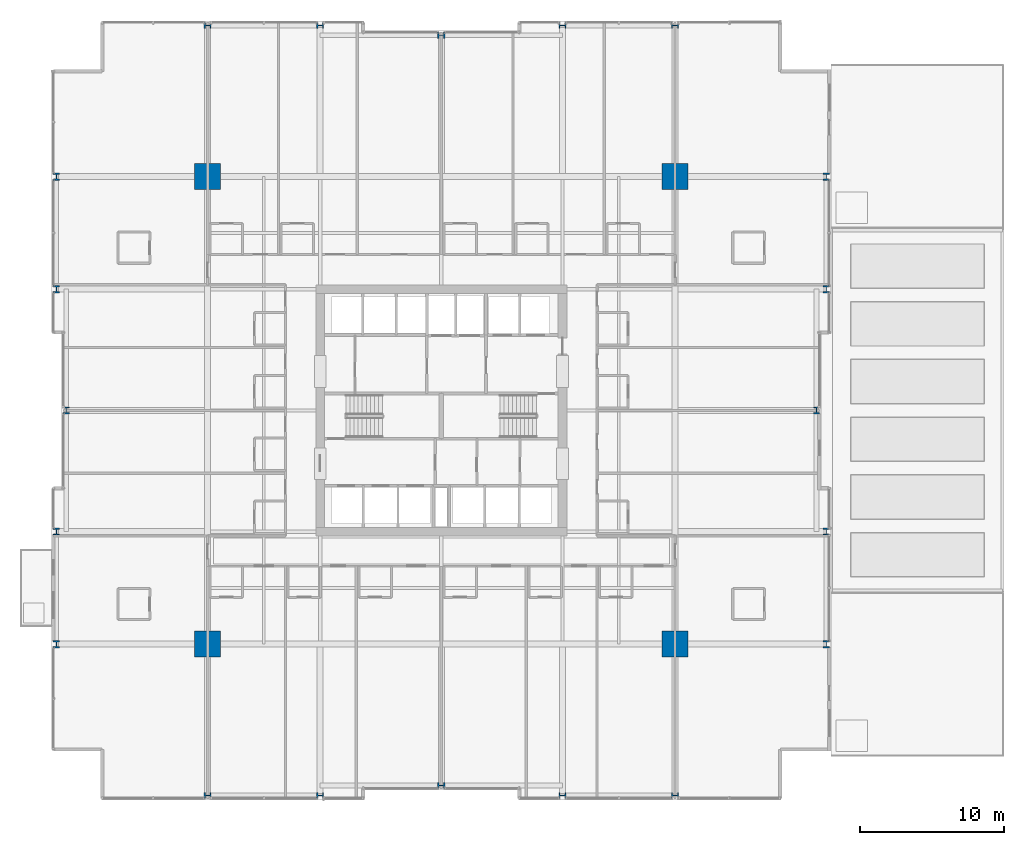
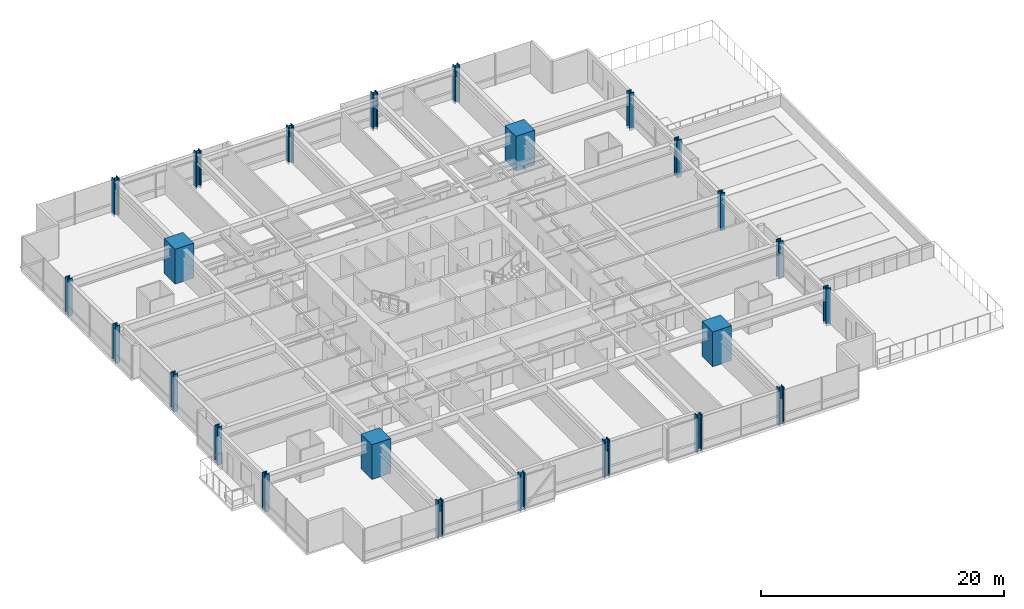
# One storey, part 1 of 42: 24 columns.
"""IFC4 building model written with IfcOpenShell, lengths in metres."""

from ifc_helpers import new_model, si_unit, direction, frame, origin, origin_2d, place, context, subcontext, project, spatial, rectangle, i_section, extrude, material, material_profile, profile_set, type_object, element, save


model = new_model("IFC4")

# Units and contexts
model_context = context("Model", 3, precision=1e-05, world=origin(), true_north=direction((0.0, 1.0)))
body_context = subcontext(model_context, "Body", "Model", "MODEL_VIEW")
ifc_project = project(units=[si_unit("LENGTHUNIT", "METRE"), si_unit("AREAUNIT", "SQUARE_METRE"), si_unit("VOLUMEUNIT", "CUBIC_METRE"), si_unit("PLANEANGLEUNIT", "RADIAN"), si_unit("MASSUNIT", "GRAM", prefix="KILO")], contexts=[model_context])

# Site, building, storey
site_placement = place(None, origin())
site = spatial("IfcSite", under=ifc_project, at=site_placement, CompositionType="ELEMENT")
building_placement = place(site_placement, origin())
building = spatial("IfcBuilding", under=site, at=building_placement, Name="Drelvath Grand Hotel", CompositionType="ELEMENT")
storey_placement = place(building_placement, frame((0.0, 0.0, 33.199951171875)))
storey = spatial("IfcBuildingStorey", under=building, at=storey_placement, Name="L06", CompositionType="ELEMENT", Elevation=33.199951171875)

# Columns
ifc_material_1 = material(Name="Concrete f'c 70 MPa", Category="concrete")
ifc_material_profile_1 = material_profile(ifc_material_1, rectangle(XDim=1.800048828125, YDim=1.800048828125, at=origin_2d()), Name="MC1800X1800")
ifc_profile_set_1 = profile_set([ifc_material_profile_1], Name="Concrete f'c 70 MPa")
column_type_1 = type_object("IfcColumnType", Name="Composite Mega Column MC1800X1800", PredefinedType="COLUMN", material=ifc_profile_set_1)
for number, where, z_axis, x_axis, name in (
    (1, (-16.199951171875, 10.800048828125, 0.0), (0.0, 0.0, 1.0), (1.0, 0.0, 0.0), "L06 Composite Mega Column MC-SW"),
    (2, (16.199951171875, 10.800048828125, 0.0), (0.0, 0.0, 1.0), (1.0, 0.0, 0.0), "L06 Composite Mega Column MC-SE"),
    (3, (-16.199951171875, 43.199951171875, 0.0), (0.0, 0.0, 1.0), (1.0, 0.0, 0.0), "L06 Composite Mega Column MC-NW"),
    (4, (16.199951171875, 43.199951171875, 0.0), (0.0, 0.0, 1.0), (1.0, 0.0, 0.0), "L06 Composite Mega Column MC-NE"),
):
    element("IfcColumn", number, at=place(storey_placement, frame(where, z_axis=z_axis, x_axis=x_axis)), inside=storey, type_object=column_type_1, Name=name, PredefinedType="COLUMN", context=body_context, shape_type="SweptSolid", body=[
        extrude(rectangle(XDim=1.800048828125, YDim=1.800048828125, at=origin_2d()), origin(), (0.0, 0.0, 1.0), 3.5),
    ])
ifc_material_2 = material(Name="Steel ASTM A913 Gr 65", Category="steel")
ifc_material_profile_2 = material_profile(ifc_material_2, i_section(OverallWidth=0.43212890625, OverallDepth=0.497802734375, WebThickness=0.0556640625, FlangeThickness=0.0888671875, FilletRadius=0.030029296875, at=origin_2d()), Name="W14X500")
ifc_profile_set_2 = profile_set([ifc_material_profile_2], Name="Steel ASTM A913 Gr 65")
column_type_2 = type_object("IfcColumnType", Name="Perimeter Steel Column W14X500", PredefinedType="COLUMN", material=ifc_profile_set_2)
for number, where, z_axis, x_axis, name in (
    (5, (-26.679931640625, 10.800048828125, -0.260009765625), (0.0, 0.0, 1.0), (1.0, 0.0, 0.0), "L06 Structural Column TCW-C"),
    (6, (26.679931640625, 10.800048828125, -0.260009765625), (0.0, 0.0, 1.0), (1.0, 0.0, 0.0), "L06 Structural Column TCE-C"),
    (7, (-26.679931640625, 18.60009765625, -0.260009765625), (0.0, 0.0, 1.0), (1.0, 0.0, 0.0), "L06 Structural Column TCW-D"),
    (8, (26.679931640625, 18.60009765625, -0.260009765625), (0.0, 0.0, 1.0), (1.0, 0.0, 0.0), "L06 Structural Column TCE-D"),
    (9, (-26.0, 27.0, -0.260009765625), (0.0, 0.0, 1.0), (1.0, 0.0, 0.0), "L06 Structural Column TCW-E"),
    (10, (26.0, 27.0, -0.260009765625), (0.0, 0.0, 1.0), (1.0, 0.0, 0.0), "L06 Structural Column TCE-E"),
    (11, (-26.679931640625, 35.39990234375, -0.260009765625), (0.0, 0.0, 1.0), (1.0, 0.0, 0.0), "L06 Structural Column TCW-F"),
    (12, (26.679931640625, 35.39990234375, -0.260009765625), (0.0, 0.0, 1.0), (1.0, 0.0, 0.0), "L06 Structural Column TCE-F"),
    (13, (-26.679931640625, 43.199951171875, -0.260009765625), (0.0, 0.0, 1.0), (1.0, 0.0, 0.0), "L06 Structural Column TCW-G"),
    (14, (26.679931640625, 43.199951171875, -0.260009765625), (0.0, 0.0, 1.0), (1.0, 0.0, 0.0), "L06 Structural Column TCE-G"),
    (15, (-16.199951171875, 0.320068359375, -0.260009765625), (0.0, 0.0, 1.0), (0.0, 1.0, 0.0), "L06 Structural Column TCS-3"),
    (16, (-16.199951171875, 53.679931640625, -0.260009765625), (0.0, 0.0, 1.0), (0.0, 1.0, 0.0), "L06 Structural Column TCN-3"),
    (17, (-8.39990234375, 0.320068359375, -0.260009765625), (0.0, 0.0, 1.0), (0.0, 1.0, 0.0), "L06 Structural Column TCS-4"),
    (18, (-8.39990234375, 53.679931640625, -0.260009765625), (0.0, 0.0, 1.0), (0.0, 1.0, 0.0), "L06 Structural Column TCN-4"),
    (19, (0.0, 1.0, -0.260009765625), (0.0, 0.0, 1.0), (0.0, 1.0, 0.0), "L06 Structural Column TCS-5"),
    (20, (0.0, 53.0, -0.260009765625), (0.0, 0.0, 1.0), (0.0, 1.0, 0.0), "L06 Structural Column TCN-5"),
    (21, (8.39990234375, 0.320068359375, -0.260009765625), (0.0, 0.0, 1.0), (0.0, 1.0, 0.0), "L06 Structural Column TCS-6"),
    (22, (8.39990234375, 53.679931640625, -0.260009765625), (0.0, 0.0, 1.0), (0.0, 1.0, 0.0), "L06 Structural Column TCN-6"),
    (23, (16.199951171875, 0.320068359375, -0.260009765625), (0.0, 0.0, 1.0), (0.0, 1.0, 0.0), "L06 Structural Column TCS-7"),
    (24, (16.199951171875, 53.679931640625, -0.260009765625), (0.0, 0.0, 1.0), (0.0, 1.0, 0.0), "L06 Structural Column TCN-7"),
):
    element("IfcColumn", number, at=place(storey_placement, frame(where, z_axis=z_axis, x_axis=x_axis)), inside=storey, type_object=column_type_2, Name=name, PredefinedType="COLUMN", context=body_context, shape_type="SweptSolid", body=[
        extrude(i_section(OverallWidth=0.43212890625, OverallDepth=0.497802734375, WebThickness=0.0556640625, FlangeThickness=0.0888671875, FilletRadius=0.030029296875, at=origin_2d()), origin(), (0.0, 0.0, 1.0), 3.757080078125),
    ])

save(model, "model.ifc")
